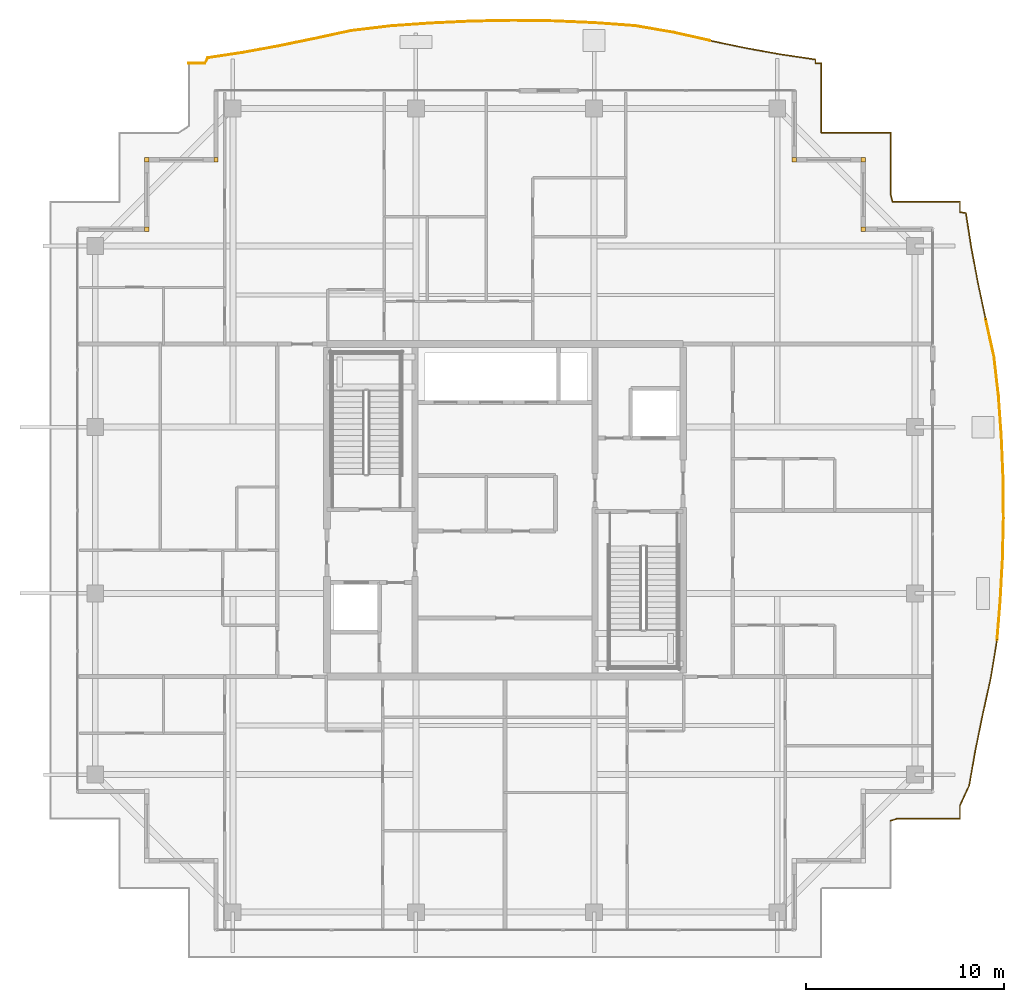
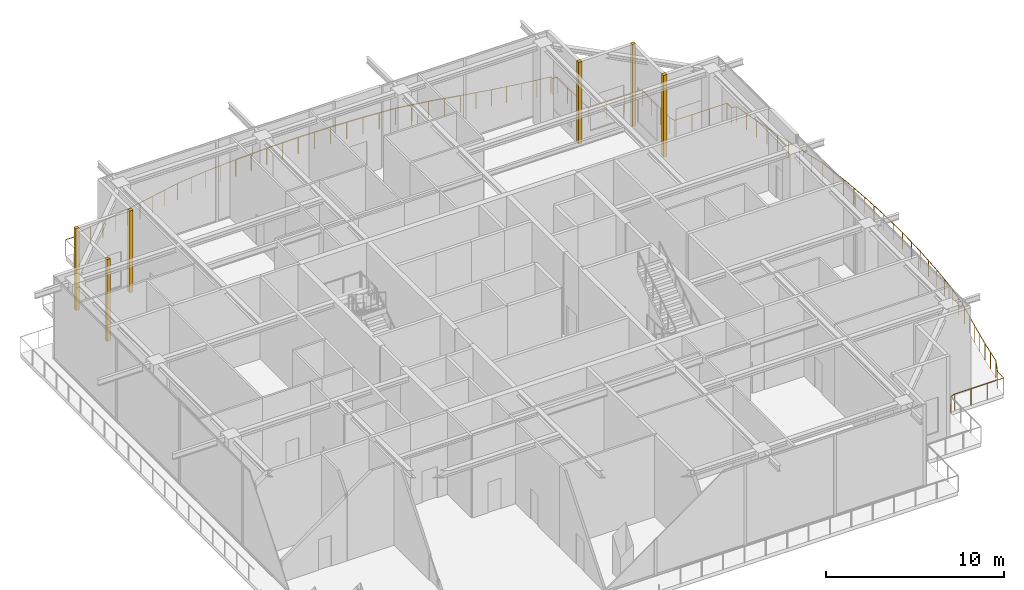
# One storey, part 40 of 40: 6 coverings, 6 railings.
"""IFC4 building model written with IfcOpenShell, lengths in metres."""

from ifc_helpers import new_model, si_unit, direction, frame, origin, origin_2d, place, context, subcontext, project, spatial, rectangle, circle, extrude, source, transform, mapped, material, layer, layer_set, type_object, element, save


model = new_model("IFC4")

# Units and contexts
model_context = context("Model", 3, precision=1e-05, world=origin(), true_north=direction((0.0, 1.0)))
body_context = subcontext(model_context, "Body", "Model", "MODEL_VIEW")
ifc_project = project(units=[si_unit("LENGTHUNIT", "METRE"), si_unit("AREAUNIT", "SQUARE_METRE"), si_unit("VOLUMEUNIT", "CUBIC_METRE"), si_unit("PLANEANGLEUNIT", "RADIAN"), si_unit("MASSUNIT", "GRAM", prefix="KILO")], contexts=[model_context])

# Site, building, storey
site_placement = place(None, origin())
site = spatial("IfcSite", under=ifc_project, at=site_placement, CompositionType="ELEMENT")
building_placement = place(site_placement, origin())
building = spatial("IfcBuilding", under=site, at=building_placement, Name="Serunith Strait Residences", CompositionType="ELEMENT")
storey_placement = place(building_placement, frame((0.0, 0.0, 347.949951171875)))
storey = spatial("IfcBuildingStorey", under=building, at=storey_placement, Name="L86", CompositionType="ELEMENT", Elevation=347.949951171875)

# Railings
ifc_material_1 = material(Name="Stainless Steel & Laminated Glass Balustrade", Category="steel")
railing_type = type_object("IfcRailingType", Name="RLG-BALC-1150", PredefinedType="BALUSTRADE", material=ifc_material_1)
railing_1_placement = place(storey_placement, frame((16.419921875, 47.780029296875, -0.050048828125)))
element("IfcRailing", 1, at=railing_1_placement, inside=storey, type_object=railing_type, Name="L86 Swirling Balcony Perimeter Balustrade 1", PredefinedType="BALUSTRADE", context=body_context, shape_type="SweptSolid", body=[
    extrude(circle(Radius=0.02392578125, at=origin_2d()), frame((0.001953125, 0.0, 1.1259765625), z_axis=(1.0, 0.0, 0.0), x_axis=(0.0, 1.0, 0.0)), (0.0, 0.0, 1.0), 0.819091796875),
    extrude(circle(Radius=0.02392578125, at=origin_2d()), frame((0.823974609375, 0.001708984375, 1.1259765625), z_axis=(0.447532663413, 0.894267585893, 0.0), x_axis=(-0.894267585893, 0.447532663413, 0.0)), (0.0, 0.0, 1.0), 0.302001953125),
    extrude(circle(Radius=0.02392578125, at=origin_2d()), frame((0.9619140625, 0.27392578125, 1.1259765625), z_axis=(0.988686694555, 0.149995399961, 0.0), x_axis=(-0.149995399961, 0.988686694555, 0.0)), (0.0, 0.0, 1.0), 1.784912109375),
    extrude(circle(Radius=0.02392578125, at=origin_2d()), frame((2.73046875, 0.542236328125, 1.1259765625), z_axis=(0.983878514705, 0.178838106404, 0.0), x_axis=(-0.178838106404, 0.983878514705, 0.0)), (0.0, 0.0, 1.0), 1.811767578125),
    extrude(circle(Radius=0.02392578125, at=origin_2d()), frame((4.516845703125, 0.8671875, 1.1259765625), z_axis=(0.979463909859, 0.201619565728, 0.0), x_axis=(-0.201619565728, 0.979463909859, 0.0)), (0.0, 0.0, 1.0), 1.854736328125),
    extrude(circle(Radius=0.02392578125, at=origin_2d()), frame((6.33740234375, 1.241943359375, 1.1259765625), z_axis=(0.977458219832, 0.211128938051, 0.0), x_axis=(-0.211128938051, 0.977458219832, 0.0)), (0.0, 0.0, 1.0), 1.913330078125),
    extrude(circle(Radius=0.02392578125, at=origin_2d()), frame((8.21142578125, 1.646484375, 1.1259765625), z_axis=(0.992949587157, 0.118537409136, 0.0), x_axis=(-0.118537409136, 0.992949587157, 0.0)), (0.0, 0.0, 1.0), 1.99169921875),
    extrude(circle(Radius=0.02392578125, at=origin_2d()), frame((10.193115234375, 1.883056640625, 1.1259765625), z_axis=(0.997515450786, 0.070448033635, 0.0), x_axis=(-0.070448033635, 0.997515450786, 0.0)), (0.0, 0.0, 1.0), 2.037109375),
    extrude(circle(Radius=0.02099609375, at=origin_2d()), origin(), (0.0, 0.0, 1.0), 1.099853515625),
    extrude(circle(Radius=0.02099609375, at=origin_2d()), frame((0.822998046875, 0.0, 0.0)), (0.0, 0.0, 1.0), 1.099853515625),
    extrude(circle(Radius=0.02099609375, at=origin_2d()), frame((0.9599609375, 0.273681640625, 0.0)), (0.0, 0.0, 1.0), 1.099853515625),
    extrude(circle(Radius=0.02099609375, at=origin_2d()), frame((1.84423828125, 0.40771484375, 0.0)), (0.0, 0.0, 1.0), 1.099853515625),
    extrude(circle(Radius=0.02099609375, at=origin_2d()), frame((2.728515625, 0.5419921875, 0.0)), (0.0, 0.0, 1.0), 1.099853515625),
    extrude(circle(Radius=0.02099609375, at=origin_2d()), frame((3.62158203125, 0.704345703125, 0.0)), (0.0, 0.0, 1.0), 1.099853515625),
    extrude(circle(Radius=0.02099609375, at=origin_2d()), frame((4.514892578125, 0.86669921875, 0.0)), (0.0, 0.0, 1.0), 1.099853515625),
    extrude(circle(Radius=0.02099609375, at=origin_2d()), frame((5.42529296875, 1.05419921875, 0.0)), (0.0, 0.0, 1.0), 1.099853515625),
    extrude(circle(Radius=0.02099609375, at=origin_2d()), frame((6.33544921875, 1.241455078125, 0.0)), (0.0, 0.0, 1.0), 1.099853515625),
    extrude(circle(Radius=0.02099609375, at=origin_2d()), frame((7.2724609375, 1.44384765625, 0.0)), (0.0, 0.0, 1.0), 1.099853515625),
    extrude(circle(Radius=0.02099609375, at=origin_2d()), frame((8.20947265625, 1.646240234375, 0.0)), (0.0, 0.0, 1.0), 1.099853515625),
    extrude(circle(Radius=0.02099609375, at=origin_2d()), frame((9.2001953125, 1.7646484375, 0.0)), (0.0, 0.0, 1.0), 1.099853515625),
    extrude(circle(Radius=0.02099609375, at=origin_2d()), frame((10.191162109375, 1.8828125, 0.0)), (0.0, 0.0, 1.0), 1.099853515625),
    extrude(circle(Radius=0.02099609375, at=origin_2d()), frame((11.209228515625, 1.95458984375, 0.0)), (0.0, 0.0, 1.0), 1.099853515625),
    extrude(circle(Radius=0.02099609375, at=origin_2d()), frame((12.227294921875, 2.026611328125, 0.0)), (0.0, 0.0, 1.0), 1.099853515625),
])
railing_2_placement = place(storey_placement, frame((28.647216796875, 49.806640625, -0.050048828125)))
element("IfcRailing", 2, at=railing_2_placement, inside=storey, type_object=railing_type, Name="L86 Swirling Balcony Perimeter Balustrade 2", PredefinedType="BALUSTRADE", context=body_context, shape_type="SweptSolid", body=[
    extrude(circle(Radius=0.02392578125, at=origin_2d()), frame((0.001953125, 0.0, 1.1259765625), z_axis=(0.998898418239, 0.046924940485, 0.0), x_axis=(-0.046924940485, 0.998898418239, 0.0)), (0.0, 0.0, 1.0), 2.0615234375),
    extrude(circle(Radius=0.02392578125, at=origin_2d()), frame((2.065185546875, 0.096923828125, 1.1259765625), z_axis=(0.999830022563, 0.018437081694, 0.0), x_axis=(-0.018437081694, 0.999830022563, 0.0)), (0.0, 0.0, 1.0), 2.074951171875),
    extrude(circle(Radius=0.02392578125, at=origin_2d()), frame((4.143798828125, 0.13525390625, 1.1259765625), z_axis=(0.999915024582, -0.013036242392, 0.0), x_axis=(0.013036242392, 0.999915024582, 0.0)), (0.0, 0.0, 1.0), 2.07470703125),
    extrude(circle(Radius=0.02392578125, at=origin_2d()), frame((6.222412109375, 0.108154296875, 1.1259765625), z_axis=(0.999010539204, -0.044474066154, 0.0), x_axis=(0.044474066154, 0.999010539204, 0.0)), (0.0, 0.0, 1.0), 2.06005859375),
    extrude(circle(Radius=0.02392578125, at=origin_2d()), frame((8.284423828125, 0.01611328125, 1.1259765625), z_axis=(0.997341165218, -0.072873864734, 0.0), x_axis=(0.072873864734, 0.997341165218, 0.0)), (0.0, 0.0, 1.0), 2.032958984375),
    extrude(circle(Radius=0.02392578125, at=origin_2d()), frame((10.31591796875, -0.13232421875, 1.1259765625), z_axis=(0.985519453776, -0.169562396273, 0.0), x_axis=(0.169562396273, 0.985519453776, 0.0)), (0.0, 0.0, 1.0), 1.965576171875),
    extrude(circle(Radius=0.02392578125, at=origin_2d()), frame((12.257080078125, -0.466552734375, 1.1259765625), z_axis=(0.975852565186, -0.218430242914, 0.0), x_axis=(0.218430242914, 0.975852565186, 0.0)), (0.0, 0.0, 1.0), 1.8916015625),
    extrude(circle(Radius=0.02099609375, at=origin_2d()), origin(), (0.0, 0.0, 1.0), 1.099853515625),
    extrude(circle(Radius=0.02099609375, at=origin_2d()), frame((1.03173828125, 0.04833984375, 0.0)), (0.0, 0.0, 1.0), 1.099853515625),
    extrude(circle(Radius=0.02099609375, at=origin_2d()), frame((2.063232421875, 0.096923828125, 0.0)), (0.0, 0.0, 1.0), 1.099853515625),
    extrude(circle(Radius=0.02099609375, at=origin_2d()), frame((3.1025390625, 0.1162109375, 0.0)), (0.0, 0.0, 1.0), 1.099853515625),
    extrude(circle(Radius=0.02099609375, at=origin_2d()), frame((4.141845703125, 0.13525390625, 0.0)), (0.0, 0.0, 1.0), 1.099853515625),
    extrude(circle(Radius=0.02099609375, at=origin_2d()), frame((5.18115234375, 0.12158203125, 0.0)), (0.0, 0.0, 1.0), 1.099853515625),
    extrude(circle(Radius=0.02099609375, at=origin_2d()), frame((6.220458984375, 0.108154296875, 0.0)), (0.0, 0.0, 1.0), 1.099853515625),
    extrude(circle(Radius=0.02099609375, at=origin_2d()), frame((7.25146484375, 0.062255859375, 0.0)), (0.0, 0.0, 1.0), 1.099853515625),
    extrude(circle(Radius=0.02099609375, at=origin_2d()), frame((8.282470703125, 0.016357421875, 0.0)), (0.0, 0.0, 1.0), 1.099853515625),
    extrude(circle(Radius=0.02099609375, at=origin_2d()), frame((9.29833984375, -0.057861328125, 0.0)), (0.0, 0.0, 1.0), 1.099853515625),
    extrude(circle(Radius=0.02099609375, at=origin_2d()), frame((10.31396484375, -0.132080078125, 0.0)), (0.0, 0.0, 1.0), 1.099853515625),
    extrude(circle(Radius=0.02099609375, at=origin_2d()), frame((11.28466796875, -0.299072265625, 0.0)), (0.0, 0.0, 1.0), 1.099853515625),
    extrude(circle(Radius=0.02099609375, at=origin_2d()), frame((12.255126953125, -0.466064453125, 0.0)), (0.0, 0.0, 1.0), 1.099853515625),
    extrude(circle(Radius=0.02099609375, at=origin_2d()), frame((13.18017578125, -0.673095703125, 0.0)), (0.0, 0.0, 1.0), 1.099853515625),
    extrude(circle(Radius=0.02099609375, at=origin_2d()), frame((14.10498046875, -0.880126953125, 0.0)), (0.0, 0.0, 1.0), 1.099853515625),
])
railing_3_placement = place(storey_placement, frame((42.752197265625, 48.926513671875, -0.050048828125)))
element("IfcRailing", 3, at=railing_3_placement, inside=storey, type_object=railing_type, Name="L86 Swirling Balcony Perimeter Balustrade 3", PredefinedType="BALUSTRADE", context=body_context, shape_type="SweptSolid", body=[
    extrude(circle(Radius=0.02392578125, at=origin_2d()), frame((0.001953125, -0.00048828125, 1.1259765625), z_axis=(0.978854336243, -0.204558520769, 0.0), x_axis=(0.204558520769, 0.978854336243, 0.0)), (0.0, 0.0, 1.0), 1.835205078125),
    extrude(circle(Radius=0.02392578125, at=origin_2d()), frame((1.80224609375, -0.37646484375, 1.1259765625), z_axis=(0.984105647317, -0.177583993981, 0.0), x_axis=(0.177583993981, 0.984105647317, 0.0)), (0.0, 0.0, 1.0), 1.795654296875),
    extrude(circle(Radius=0.02392578125, at=origin_2d()), frame((3.5732421875, -0.696044921875, 1.1259765625), z_axis=(0.989285161089, -0.145996130256, 0.0), x_axis=(0.145996130256, 0.989285161089, 0.0)), (0.0, 0.0, 1.0), 1.773681640625),
    extrude(circle(Radius=0.02392578125, at=origin_2d()), frame((5.329833984375, -0.957275390625, 1.1259765625), z_axis=(-0.010216580428, -0.99994780938, 0.0), x_axis=(0.99994780938, -0.010216580428, 0.0)), (0.0, 0.0, 1.0), 0.187255859375),
    extrude(circle(Radius=0.02392578125, at=origin_2d()), frame((5.329833984375, -1.146484375, 1.1259765625), z_axis=(1.0, 0.0, 0.0), x_axis=(0.0, 1.0, 0.0)), (0.0, 0.0, 1.0), 0.2958984375),
    extrude(circle(Radius=0.02392578125, at=origin_2d()), frame((5.627685546875, -1.1484375, 1.1259765625), z_axis=(0.0, -1.0, 0.0), x_axis=(1.0, 0.0, 0.0)), (0.0, 0.0, 1.0), 3.49609375),
    extrude(circle(Radius=0.02392578125, at=origin_2d()), frame((5.629638671875, -4.646484375, 1.1259765625), z_axis=(1.0, 0.0, 0.0), x_axis=(0.0, 1.0, 0.0)), (0.0, 0.0, 1.0), 3.49609375),
    extrude(circle(Radius=0.02392578125, at=origin_2d()), frame((9.127685546875, -4.6484375, 1.1259765625), z_axis=(0.0, -1.0, 0.0), x_axis=(1.0, 0.0, 0.0)), (0.0, 0.0, 1.0), 3.107421875),
    extrude(circle(Radius=0.02099609375, at=origin_2d()), origin(), (0.0, 0.0, 1.0), 1.099853515625),
    extrude(circle(Radius=0.02099609375, at=origin_2d()), frame((0.900146484375, -0.18798828125, 0.0)), (0.0, 0.0, 1.0), 1.099853515625),
    extrude(circle(Radius=0.02099609375, at=origin_2d()), frame((1.80029296875, -0.376220703125, 0.0)), (0.0, 0.0, 1.0), 1.099853515625),
    extrude(circle(Radius=0.02099609375, at=origin_2d()), frame((2.685791015625, -0.5361328125, 0.0)), (0.0, 0.0, 1.0), 1.099853515625),
    extrude(circle(Radius=0.02099609375, at=origin_2d()), frame((3.5712890625, -0.69580078125, 0.0)), (0.0, 0.0, 1.0), 1.099853515625),
    extrude(circle(Radius=0.02099609375, at=origin_2d()), frame((4.45068359375, -0.82568359375, 0.0)), (0.0, 0.0, 1.0), 1.099853515625),
    extrude(circle(Radius=0.02099609375, at=origin_2d()), frame((5.329833984375, -0.955322265625, 0.0)), (0.0, 0.0, 1.0), 1.099853515625),
    extrude(circle(Radius=0.02099609375, at=origin_2d()), frame((5.327880859375, -1.146484375, 0.0)), (0.0, 0.0, 1.0), 1.099853515625),
    extrude(circle(Radius=0.02099609375, at=origin_2d()), frame((5.627685546875, -1.146484375, 0.0)), (0.0, 0.0, 1.0), 1.099853515625),
    extrude(circle(Radius=0.02099609375, at=origin_2d()), frame((5.627685546875, -2.313232421875, 0.0)), (0.0, 0.0, 1.0), 1.099853515625),
    extrude(circle(Radius=0.02099609375, at=origin_2d()), frame((5.627685546875, -3.479736328125, 0.0)), (0.0, 0.0, 1.0), 1.099853515625),
    extrude(circle(Radius=0.02099609375, at=origin_2d()), frame((5.627685546875, -4.646484375, 0.0)), (0.0, 0.0, 1.0), 1.099853515625),
    extrude(circle(Radius=0.02099609375, at=origin_2d()), frame((6.79443359375, -4.646484375, 0.0)), (0.0, 0.0, 1.0), 1.099853515625),
    extrude(circle(Radius=0.02099609375, at=origin_2d()), frame((7.9609375, -4.646484375, 0.0)), (0.0, 0.0, 1.0), 1.099853515625),
    extrude(circle(Radius=0.02099609375, at=origin_2d()), frame((9.127685546875, -4.646484375, 0.0)), (0.0, 0.0, 1.0), 1.099853515625),
    extrude(circle(Radius=0.02099609375, at=origin_2d()), frame((9.127685546875, -5.68359375, 0.0)), (0.0, 0.0, 1.0), 1.099853515625),
    extrude(circle(Radius=0.02099609375, at=origin_2d()), frame((9.127685546875, -6.720703125, 0.0)), (0.0, 0.0, 1.0), 1.099853515625),
    extrude(circle(Radius=0.02099609375, at=origin_2d()), frame((9.127685546875, -7.7578125, 0.0)), (0.0, 0.0, 1.0), 1.099853515625),
])
railing_4_placement = place(storey_placement, frame((51.8798828125, 41.168701171875, -0.050048828125)))
element("IfcRailing", 4, at=railing_4_placement, inside=storey, type_object=railing_type, Name="L86 Swirling Balcony Perimeter Balustrade 4", PredefinedType="BALUSTRADE", context=body_context, shape_type="SweptSolid", body=[
    extrude(circle(Radius=0.02392578125, at=origin_2d()), frame((0.00048828125, -0.001953125, 1.1259765625), z_axis=(0.231014578621, -0.972950288794, 0.0), x_axis=(0.972950288794, 0.231014578621, 0.0)), (0.0, 0.0, 1.0), 0.3955078125),
    extrude(circle(Radius=0.02392578125, at=origin_2d()), frame((0.09423828125, -0.388671875, 1.1259765625), z_axis=(1.0, 0.0, 0.0), x_axis=(0.0, 1.0, 0.0)), (0.0, 0.0, 1.0), 3.40380859375),
    extrude(circle(Radius=0.02392578125, at=origin_2d()), frame((3.5, -0.390625, 1.1259765625), z_axis=(0.0, -1.0, 0.0), x_axis=(1.0, 0.0, 0.0)), (0.0, 0.0, 1.0), 0.515625),
    extrude(circle(Radius=0.02392578125, at=origin_2d()), frame((3.501953125, -0.908447265625, 1.1259765625), z_axis=(0.989259755717, -0.146168176151, 0.0), x_axis=(0.146168176151, 0.989259755717, 0.0)), (0.0, 0.0, 1.0), 0.29833984375),
    extrude(circle(Radius=0.02392578125, at=origin_2d()), frame((3.79931640625, -0.954345703125, 1.1259765625), z_axis=(0.155135023685, -0.987893275828, 0.0), x_axis=(0.987893275828, 0.155135023685, 0.0)), (0.0, 0.0, 1.0), 1.78369140625),
    extrude(circle(Radius=0.02392578125, at=origin_2d()), frame((4.076904296875, -2.720458984375, 1.1259765625), z_axis=(0.184978908287, -0.982742490935, 0.0), x_axis=(0.982742490935, 0.184978908287, 0.0)), (0.0, 0.0, 1.0), 1.810791015625),
    extrude(circle(Radius=0.02392578125, at=origin_2d()), frame((4.41259765625, -4.50390625, 1.1259765625), z_axis=(0.208372225996, -0.978049597635, 0.0), x_axis=(0.978049597635, 0.208372225996, 0.0)), (0.0, 0.0, 1.0), 1.85546875),
    extrude(circle(Radius=0.02099609375, at=origin_2d()), origin(), (0.0, 0.0, 1.0), 1.099853515625),
    extrude(circle(Radius=0.02099609375, at=origin_2d()), frame((0.09228515625, -0.388671875, 0.0)), (0.0, 0.0, 1.0), 1.099853515625),
    extrude(circle(Radius=0.02099609375, at=origin_2d()), frame((1.228271484375, -0.388671875, 0.0)), (0.0, 0.0, 1.0), 1.099853515625),
    extrude(circle(Radius=0.02099609375, at=origin_2d()), frame((2.364013671875, -0.388671875, 0.0)), (0.0, 0.0, 1.0), 1.099853515625),
    extrude(circle(Radius=0.02099609375, at=origin_2d()), frame((3.5, -0.388671875, 0.0)), (0.0, 0.0, 1.0), 1.099853515625),
    extrude(circle(Radius=0.02099609375, at=origin_2d()), frame((3.5, -0.908203125, 0.0)), (0.0, 0.0, 1.0), 1.099853515625),
    extrude(circle(Radius=0.02099609375, at=origin_2d()), frame((3.799072265625, -0.952392578125, 0.0)), (0.0, 0.0, 1.0), 1.099853515625),
    extrude(circle(Radius=0.02099609375, at=origin_2d()), frame((3.937744140625, -1.83544921875, 0.0)), (0.0, 0.0, 1.0), 1.099853515625),
    extrude(circle(Radius=0.02099609375, at=origin_2d()), frame((4.076416015625, -2.718505859375, 0.0)), (0.0, 0.0, 1.0), 1.099853515625),
    extrude(circle(Radius=0.02099609375, at=origin_2d()), frame((4.244140625, -3.6103515625, 0.0)), (0.0, 0.0, 1.0), 1.099853515625),
    extrude(circle(Radius=0.02099609375, at=origin_2d()), frame((4.412109375, -4.501953125, 0.0)), (0.0, 0.0, 1.0), 1.099853515625),
    extrude(circle(Radius=0.02099609375, at=origin_2d()), frame((4.60595703125, -5.4111328125, 0.0)), (0.0, 0.0, 1.0), 1.099853515625),
    extrude(circle(Radius=0.02099609375, at=origin_2d()), frame((4.799560546875, -6.320556640625, 0.0)), (0.0, 0.0, 1.0), 1.099853515625),
])
railing_5_placement = place(storey_placement, frame((56.679443359375, 34.84814453125, -0.050048828125)))
element("IfcRailing", 5, at=railing_5_placement, inside=storey, type_object=railing_type, Name="L86 Swirling Balcony Perimeter Balustrade 5", PredefinedType="BALUSTRADE", context=body_context, shape_type="SweptSolid", body=[
    extrude(circle(Radius=0.02392578125, at=origin_2d()), frame((0.00048828125, -0.001953125, 1.1259765625), z_axis=(0.217011269492, -0.976169098524, 0.0), x_axis=(0.976169098524, 0.217011269492, 0.0)), (0.0, 0.0, 1.0), 1.915283203125),
    extrude(circle(Radius=0.02392578125, at=origin_2d()), frame((0.416748046875, -1.87548828125, 1.1259765625), z_axis=(0.114934715061, -0.993373047386, 0.0), x_axis=(0.993373047386, 0.114934715061, 0.0)), (0.0, 0.0, 1.0), 1.994873046875),
    extrude(circle(Radius=0.02392578125, at=origin_2d()), frame((0.646484375, -3.861083984375, 1.1259765625), z_axis=(0.070805057792, -0.997490172278, 0.0), x_axis=(0.997490172278, 0.070805057792, 0.0)), (0.0, 0.0, 1.0), 2.037353515625),
    extrude(circle(Radius=0.02392578125, at=origin_2d()), frame((0.790771484375, -5.897216796875, 1.1259765625), z_axis=(0.042426868634, -0.999099575026, 0.0), x_axis=(0.999099575026, 0.042426868634, 0.0)), (0.0, 0.0, 1.0), 2.061767578125),
    extrude(circle(Radius=0.02392578125, at=origin_2d()), frame((0.87841796875, -7.961181640625, 1.1259765625), z_axis=(0.00987025948, -0.999951287802, 0.0), x_axis=(0.999951287802, 0.00987025948, 0.0)), (0.0, 0.0, 1.0), 2.07373046875),
    extrude(circle(Radius=0.02392578125, at=origin_2d()), frame((0.89892578125, -10.038818359375, 1.1259765625), z_axis=(-0.023657139895, -0.999720130703, 0.0), x_axis=(0.999720130703, -0.023657139895, 0.0)), (0.0, 0.0, 1.0), 2.0703125),
    extrude(circle(Radius=0.02392578125, at=origin_2d()), frame((0.849853515625, -12.112548828125, 1.1259765625), z_axis=(-0.054582799051, -0.998509247853, 0.0), x_axis=(0.998509247853, -0.054582799051, 0.0)), (0.0, 0.0, 1.0), 2.053466796875),
    extrude(circle(Radius=0.02392578125, at=origin_2d()), frame((0.7373046875, -14.1669921875, 1.1259765625), z_axis=(-0.080127766368, -0.996784601134, 0.0), x_axis=(0.996784601134, -0.080127766368, 0.0)), (0.0, 0.0, 1.0), 2.025146484375),
    extrude(circle(Radius=0.02099609375, at=origin_2d()), origin(), (0.0, 0.0, 1.0), 1.099853515625),
    extrude(circle(Radius=0.02099609375, at=origin_2d()), frame((0.208251953125, -0.936767578125, 0.0)), (0.0, 0.0, 1.0), 1.099853515625),
    extrude(circle(Radius=0.02099609375, at=origin_2d()), frame((0.41650390625, -1.87353515625, 0.0)), (0.0, 0.0, 1.0), 1.099853515625),
    extrude(circle(Radius=0.02099609375, at=origin_2d()), frame((0.53125, -2.8662109375, 0.0)), (0.0, 0.0, 1.0), 1.099853515625),
    extrude(circle(Radius=0.02099609375, at=origin_2d()), frame((0.646240234375, -3.859130859375, 0.0)), (0.0, 0.0, 1.0), 1.099853515625),
    extrude(circle(Radius=0.02099609375, at=origin_2d()), frame((0.718505859375, -4.877197265625, 0.0)), (0.0, 0.0, 1.0), 1.099853515625),
    extrude(circle(Radius=0.02099609375, at=origin_2d()), frame((0.790771484375, -5.895263671875, 0.0)), (0.0, 0.0, 1.0), 1.099853515625),
    extrude(circle(Radius=0.02099609375, at=origin_2d()), frame((0.83447265625, -6.92724609375, 0.0)), (0.0, 0.0, 1.0), 1.099853515625),
    extrude(circle(Radius=0.02099609375, at=origin_2d()), frame((0.87841796875, -7.959228515625, 0.0)), (0.0, 0.0, 1.0), 1.099853515625),
    extrude(circle(Radius=0.02099609375, at=origin_2d()), frame((0.888671875, -8.998046875, 0.0)), (0.0, 0.0, 1.0), 1.099853515625),
    extrude(circle(Radius=0.02099609375, at=origin_2d()), frame((0.89892578125, -10.036865234375, 0.0)), (0.0, 0.0, 1.0), 1.099853515625),
    extrude(circle(Radius=0.02099609375, at=origin_2d()), frame((0.87451171875, -11.07373046875, 0.0)), (0.0, 0.0, 1.0), 1.099853515625),
    extrude(circle(Radius=0.02099609375, at=origin_2d()), frame((0.849853515625, -12.110595703125, 0.0)), (0.0, 0.0, 1.0), 1.099853515625),
    extrude(circle(Radius=0.02099609375, at=origin_2d()), frame((0.793701171875, -13.1376953125, 0.0)), (0.0, 0.0, 1.0), 1.099853515625),
    extrude(circle(Radius=0.02099609375, at=origin_2d()), frame((0.737548828125, -14.1650390625, 0.0)), (0.0, 0.0, 1.0), 1.099853515625),
    extrude(circle(Radius=0.02099609375, at=origin_2d()), frame((0.65625, -15.17626953125, 0.0)), (0.0, 0.0, 1.0), 1.099853515625),
    extrude(circle(Radius=0.02099609375, at=origin_2d()), frame((0.574951171875, -16.187744140625, 0.0)), (0.0, 0.0, 1.0), 1.099853515625),
])
railing_6_placement = place(storey_placement, frame((57.25439453125, 18.660400390625, -0.050048828125)))
element("IfcRailing", 6, at=railing_6_placement, inside=storey, type_object=railing_type, Name="L86 Swirling Balcony Perimeter Balustrade 6", PredefinedType="BALUSTRADE", context=body_context, shape_type="SweptSolid", body=[
    extrude(circle(Radius=0.02392578125, at=origin_2d()), frame((-0.000244140625, -0.001953125, 1.1259765625), z_axis=(-0.163050642577, -0.986617701014, 0.0), x_axis=(0.986617701014, -0.163050642577, 0.0)), (0.0, 0.0, 1.0), 1.96337890625),
    extrude(circle(Radius=0.02392578125, at=origin_2d()), frame((-0.3212890625, -1.943115234375, 1.1259765625), z_axis=(-0.215375333981, -0.976531343845, 0.0), x_axis=(0.976531343845, -0.215375333981, 0.0)), (0.0, 0.0, 1.0), 1.891357421875),
    extrude(circle(Radius=0.02392578125, at=origin_2d()), frame((-0.7294921875, -3.7939453125, 1.1259765625), z_axis=(-0.199991191683, -0.979797695062, 0.0), x_axis=(0.979797695062, -0.199991191683, 0.0)), (0.0, 0.0, 1.0), 1.8369140625),
    extrude(circle(Radius=0.02392578125, at=origin_2d()), frame((-1.097412109375, -5.59765625, 1.1259765625), z_axis=(-0.173592216066, -0.984817618913, 0.0), x_axis=(0.984817618913, -0.173592216066, 0.0)), (0.0, 0.0, 1.0), 1.799072265625),
    extrude(circle(Radius=0.02392578125, at=origin_2d()), frame((-1.410888671875, -7.373046875, 1.1259765625), z_axis=(-0.423372835174, -0.905955541093, 0.0), x_axis=(0.905955541093, -0.423372835174, 0.0)), (0.0, 0.0, 1.0), 1.0927734375),
    extrude(circle(Radius=0.02392578125, at=origin_2d()), frame((-1.87451171875, -8.366943359375, 1.1259765625), z_axis=(0.0, -1.0, 0.0), x_axis=(1.0, 0.0, 0.0)), (0.0, 0.0, 1.0), 0.67138671875),
    extrude(circle(Radius=0.02392578125, at=origin_2d()), frame((-1.87646484375, -9.040283203125, 1.1259765625), z_axis=(-1.0, 0.0, 0.0), x_axis=(0.0, -1.0, 0.0)), (0.0, 0.0, 1.0), 3.170654296875),
    extrude(circle(Radius=0.02392578125, at=origin_2d()), frame((-5.051025390625, -9.040771484375, 1.1259765625), z_axis=(-0.957012327258, -0.290047246971, 0.0), x_axis=(0.290047246971, -0.957012327258, 0.0)), (0.0, 0.0, 1.0), 0.3359375),
    extrude(circle(Radius=0.02099609375, at=origin_2d()), origin(), (0.0, 0.0, 1.0), 1.099853515625),
    extrude(circle(Radius=0.02099609375, at=origin_2d()), frame((-0.160400390625, -0.970703125, 0.0)), (0.0, 0.0, 1.0), 1.099853515625),
    extrude(circle(Radius=0.02099609375, at=origin_2d()), frame((-0.32080078125, -1.941162109375, 0.0)), (0.0, 0.0, 1.0), 1.099853515625),
    extrude(circle(Radius=0.02099609375, at=origin_2d()), frame((-0.52490234375, -2.86669921875, 0.0)), (0.0, 0.0, 1.0), 1.099853515625),
    extrude(circle(Radius=0.02099609375, at=origin_2d()), frame((-0.72900390625, -3.7919921875, 0.0)), (0.0, 0.0, 1.0), 1.099853515625),
    extrude(circle(Radius=0.02099609375, at=origin_2d()), frame((-0.9130859375, -4.69384765625, 0.0)), (0.0, 0.0, 1.0), 1.099853515625),
    extrude(circle(Radius=0.02099609375, at=origin_2d()), frame((-1.09716796875, -5.595703125, 0.0)), (0.0, 0.0, 1.0), 1.099853515625),
    extrude(circle(Radius=0.02099609375, at=origin_2d()), frame((-1.253662109375, -6.4833984375, 0.0)), (0.0, 0.0, 1.0), 1.099853515625),
    extrude(circle(Radius=0.02099609375, at=origin_2d()), frame((-1.41015625, -7.371337890625, 0.0)), (0.0, 0.0, 1.0), 1.099853515625),
    extrude(circle(Radius=0.02099609375, at=origin_2d()), frame((-1.87451171875, -8.364990234375, 0.0)), (0.0, 0.0, 1.0), 1.099853515625),
    extrude(circle(Radius=0.02099609375, at=origin_2d()), frame((-1.87451171875, -9.040283203125, 0.0)), (0.0, 0.0, 1.0), 1.099853515625),
    extrude(circle(Radius=0.02099609375, at=origin_2d()), frame((-2.9326171875, -9.040283203125, 0.0)), (0.0, 0.0, 1.0), 1.099853515625),
    extrude(circle(Radius=0.02099609375, at=origin_2d()), frame((-3.990966796875, -9.040283203125, 0.0)), (0.0, 0.0, 1.0), 1.099853515625),
    extrude(circle(Radius=0.02099609375, at=origin_2d()), frame((-5.049072265625, -9.040283203125, 0.0)), (0.0, 0.0, 1.0), 1.099853515625),
    extrude(circle(Radius=0.02099609375, at=origin_2d()), frame((-5.37451171875, -9.138916015625, 0.0)), (0.0, 0.0, 1.0), 1.099853515625),
])

# Coverings
ifc_material_2 = material(Name="Pale-Champagne Anodised Aluminium", Category="aluminium")
ifc_layer = layer(ifc_material_2, 0.219970703125, Name="Pale-Champagne Anodised Aluminium")
ifc_layer_set = layer_set([ifc_layer], Name="Pale-Champagne Anodised Aluminium")
covering_type = type_object("IfcCoveringType", Name="COV-CORN-TRIM", PredefinedType="CLADDING", material=ifc_layer_set)
shared_shape = source(origin(), body_context, "Body", "SweptSolid", [
    extrude(rectangle(XDim=0.221923828125, YDim=0.221923828125, at=origin_2d()), origin(), (0.0, 0.0, 1.0), 5.625),
])
for number, where, z_axis, x_axis, name in (
    (7, (50.5, 39.39990234375, 0.0), (0.0, 0.0, 1.0), (1.0, 0.0, 0.0), "L86 Girih Serrated Corner Trim Post 07"),
    (8, (50.5, 42.89990234375, 0.0), (0.0, 0.0, 1.0), (1.0, 0.0, 0.0), "L86 Girih Serrated Corner Trim Post 08"),
    (9, (47.0, 42.89990234375, 0.0), (0.0, 0.0, 1.0), (1.0, 0.0, 0.0), "L86 Girih Serrated Corner Trim Post 09"),
    (10, (17.800048828125, 42.89990234375, 0.0), (0.0, 0.0, 1.0), (1.0, 0.0, 0.0), "L86 Girih Serrated Corner Trim Post 12"),
    (11, (14.300048828125, 42.89990234375, 0.0), (0.0, 0.0, 1.0), (1.0, 0.0, 0.0), "L86 Girih Serrated Corner Trim Post 13"),
    (12, (14.300048828125, 39.39990234375, 0.0), (0.0, 0.0, 1.0), (1.0, 0.0, 0.0), "L86 Girih Serrated Corner Trim Post 14"),
):
    element("IfcCovering", number, at=place(storey_placement, frame(where, z_axis=z_axis, x_axis=x_axis)), inside=storey, type_object=covering_type, Name=name, PredefinedType="CLADDING", context=body_context, shape_type="MappedRepresentation", body=[
        mapped(shared_shape, transform((0.0, 0.0, 0.0), scale=1.0)),
    ])

save(model, "model.ifc")
